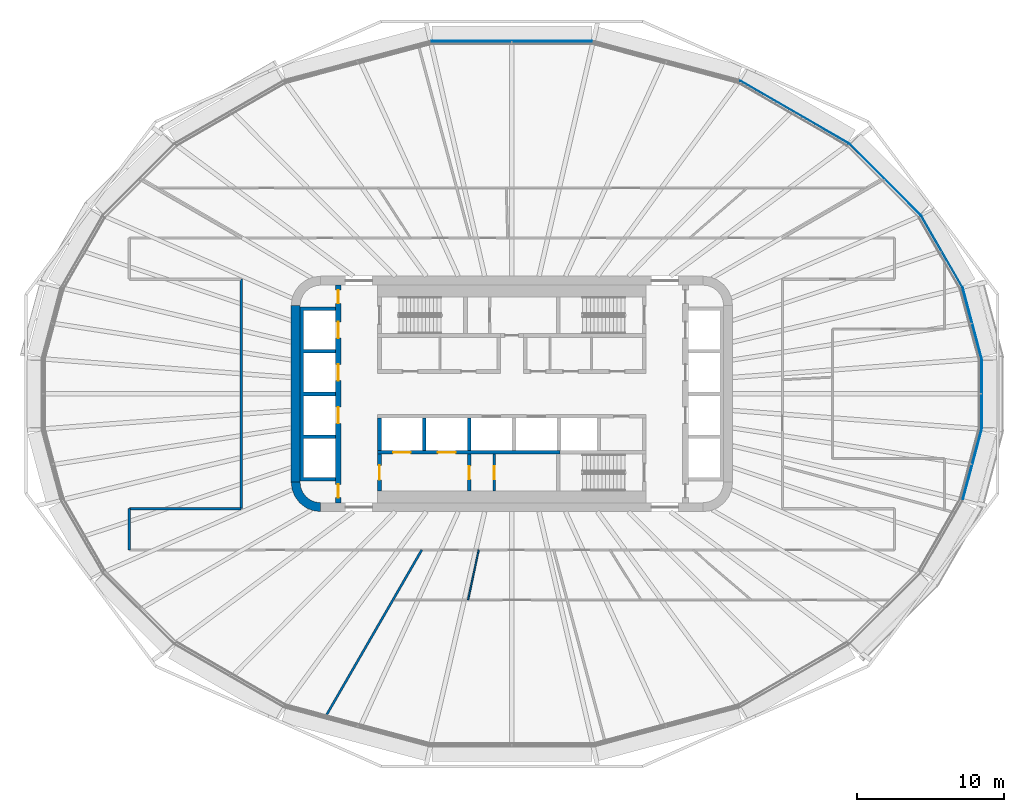
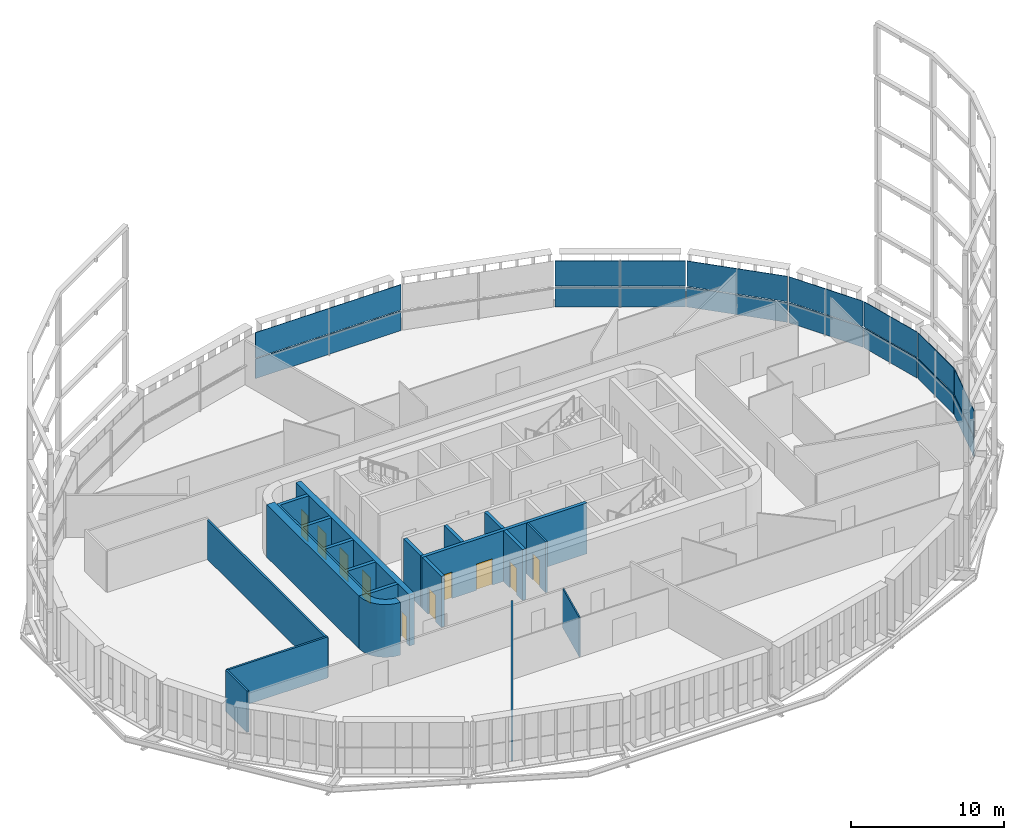
# One storey, part 14 of 26: 16 walls, 14 plates, 10 doors, 10 openings, 7 elements without a shape of their own.
"""IFC4 building model written with IfcOpenShell, lengths in metres."""

from ifc_helpers import new_model, si_unit, direction, frame, frame_2d, origin, place, context, subcontext, project, spatial, polyline, rectangle, outline, extrude, material, layer, layer_set, type_object, element, fill, aggregate, save


model = new_model("IFC4")

# Units and contexts
model_context = context("Model", 3, precision=1e-05, world=origin(), true_north=direction((0.0, 1.0)))
body_context = subcontext(model_context, "Body", "Model", "MODEL_VIEW")
ifc_project = project(units=[si_unit("LENGTHUNIT", "METRE"), si_unit("AREAUNIT", "SQUARE_METRE"), si_unit("VOLUMEUNIT", "CUBIC_METRE"), si_unit("PLANEANGLEUNIT", "RADIAN"), si_unit("MASSUNIT", "GRAM", prefix="KILO")], contexts=[model_context])

# Site, building, storey
site_placement = place(None, origin())
site = spatial("IfcSite", under=ifc_project, at=site_placement, CompositionType="ELEMENT")
building_placement = place(site_placement, origin())
building = spatial("IfcBuilding", under=site, at=building_placement, Name="Sahrelin Media Tower", CompositionType="ELEMENT")
storey_placement = place(building_placement, frame((0.0, 0.0, 102.0)))
storey = spatial("IfcBuildingStorey", under=building, at=storey_placement, Name="L19", CompositionType="ELEMENT", Elevation=102.0)

# Curtain wall, plate
ifc_material_1 = material(Name="Champagne anodised aluminium 6063-T6", Category="aluminium")
ifc_layer_1 = layer(ifc_material_1, 0.14990234375)
ifc_layer_set_1 = layer_set([ifc_layer_1], Name="Tower ribbon curtain wall")
curtain_wall_type = type_object("IfcCurtainWallType", Name="Tower ribbon curtain wall", PredefinedType="NOTDEFINED", material=ifc_layer_set_1)
curtain_wall_1_placement = place(storey_placement, frame((31.9443359375, 0.0, 0.0), z_axis=(0.0, 0.0, 1.0), x_axis=(1.0, 0.0, 0.0)))
curtain_wall_1 = element("IfcCurtainWall", 1, at=curtain_wall_1_placement, inside=storey, type_object=curtain_wall_type, Name="L19:CW:L19-00", PredefinedType="NOTDEFINED")
ifc_material_2 = material(Name="Clear low-iron glazing", Category="glass")
ifc_layer_2 = layer(ifc_material_2, 0.0400390625)
ifc_layer_set_2 = layer_set([ifc_layer_2], Name="Glazing panel 40 mm CW1")
plate_type_1 = type_object("IfcPlateType", Name="Glazing panel 40 mm CW1", PredefinedType="CURTAIN_PANEL", material=ifc_layer_set_2)
plate_1_placement = place(storey_placement, frame((31.96435546875, -2.337158203125, 1.6298828125), z_axis=(1.0, 0.0, 0.0), x_axis=(0.0, 1.0, 0.0)))
plate_1 = element("IfcPlate", 2, at=plate_1_placement, type_object=plate_type_1, Name="L19:CWP2:L19-00", PredefinedType="CURTAIN_PANEL", context=body_context, shape_type="SweptSolid", body=[
    extrude(outline(polyline([(0.0, 0.0), (4.67431640625, 0.0), (4.67431640625, 2.018798828125), (0.0, 2.018798828125), (0.0, 0.0)])), origin(), (0.0, 0.0, -1.0), 0.0400390625),
])

curtain_wall_2_placement = place(storey_placement, frame((31.298095703125, 4.798828125, 0.0), z_axis=(0.0, 0.0, 1.0), x_axis=(1.0, 0.0, 0.0)))
curtain_wall_2 = element("IfcCurtainWall", 3, at=curtain_wall_2_placement, inside=storey, type_object=curtain_wall_type, Name="L19:CW:L19-01", PredefinedType="NOTDEFINED")
plate_2_placement = place(storey_placement, frame((31.95068359375, 2.440673828125, 1.6298828125), z_axis=(0.965932017326, 0.258795938733, 0.0), x_axis=(-0.258795938733, 0.965932017326, 0.0)))
plate_2 = element("IfcPlate", 4, at=plate_2_placement, type_object=plate_type_1, Name="L19:CWP2:L19-01", PredefinedType="CURTAIN_PANEL", context=body_context, shape_type="SweptSolid", body=[
    extrude(outline(polyline([(0.0, 0.0), (4.893310546875, 0.0), (4.893310546875, 2.018798828125), (0.0, 2.018798828125), (0.0, 0.0)])), origin(), (0.0, 0.0, -1.0), 0.0400390625),
])

curtain_wall_3_placement = place(storey_placement, frame((29.231689453125, 9.67041015625, 0.0), z_axis=(0.0, 0.0, 1.0), x_axis=(1.0, 0.0, 0.0)))
curtain_wall_3 = element("IfcCurtainWall", 5, at=curtain_wall_3_placement, inside=storey, type_object=curtain_wall_type, Name="L19:CW:L19-02", PredefinedType="NOTDEFINED")
plate_3_placement = place(storey_placement, frame((30.644287109375, 7.263671875, 1.6298828125), z_axis=(0.866021677438, 0.500006454166, 0.0), x_axis=(-0.500006454166, 0.866021677438, 0.0)))
plate_3 = element("IfcPlate", 6, at=plate_3_placement, type_object=plate_type_1, Name="L19:CWP2:L19-02", PredefinedType="CURTAIN_PANEL", context=body_context, shape_type="SweptSolid", body=[
    extrude(outline(polyline([(0.0, 0.0), (5.5810546875, 0.0), (5.5810546875, 2.018798828125), (0.0, 2.018798828125), (0.0, 0.0)])), origin(), (0.0, 0.0, -1.0), 0.0400390625),
])

curtain_wall_4_placement = place(storey_placement, frame((25.371337890625, 14.5703125, 0.0), z_axis=(0.0, 0.0, 1.0), x_axis=(1.0, 0.0, 0.0)))
curtain_wall_4 = element("IfcCurtainWall", 7, at=curtain_wall_4_placement, inside=storey, type_object=curtain_wall_type, Name="L19:CW:L19-03", PredefinedType="NOTDEFINED")
plate_4_placement = place(storey_placement, frame((27.790283203125, 12.1796875, 1.6298828125), z_axis=(0.707106781187, 0.707106781187, 0.0), x_axis=(-0.707106781187, 0.707106781187, 0.0)))
plate_4 = element("IfcPlate", 8, at=plate_4_placement, type_object=plate_type_1, Name="L19:CWP2:L19-03", PredefinedType="CURTAIN_PANEL", context=body_context, shape_type="SweptSolid", body=[
    extrude(outline(polyline([(0.0, 0.0), (6.801513671875, 0.0), (6.801513671875, 2.018798828125), (0.0, 2.018798828125), (0.0, 0.0)])), origin(), (0.0, 0.0, -1.0), 0.0400390625),
])

curtain_wall_5_placement = place(storey_placement, frame((19.20751953125, 19.160400390625, 0.0), z_axis=(0.0, 0.0, 1.0), x_axis=(1.0, 0.0, 0.0)))
curtain_wall_5 = element("IfcCurtainWall", 9, at=curtain_wall_5_placement, inside=storey, type_object=curtain_wall_type, Name="L19:CW:L19-04", PredefinedType="NOTDEFINED")
plate_5_placement = place(storey_placement, frame((22.898193359375, 17.052490234375, 1.6298828125), z_axis=(0.499994284652, 0.866028703517, 0.0), x_axis=(-0.866028703517, 0.499994284652, 0.0)))
plate_5 = element("IfcPlate", 10, at=plate_5_placement, type_object=plate_type_1, Name="L19:CWP2:L19-04", PredefinedType="CURTAIN_PANEL", context=body_context, shape_type="SweptSolid", body=[
    extrude(outline(polyline([(0.0, 0.0), (8.5, 0.0), (8.5, 2.018798828125), (0.0, 2.018798828125), (0.0, 0.0)])), origin(), (0.0, 0.0, -1.0), 0.0400390625),
])

curtain_wall_6_placement = place(storey_placement, frame((0.0, 23.97705078125, 0.0), z_axis=(0.0, 0.0, 1.0), x_axis=(1.0, 0.0, 0.0)))
curtain_wall_6 = element("IfcCurtainWall", 11, at=curtain_wall_6_placement, inside=storey, type_object=curtain_wall_type, Name="L19:CW:L19-06", PredefinedType="NOTDEFINED")
plate_6_placement = place(storey_placement, frame((5.48095703125, 23.9970703125, 1.6298828125), z_axis=(0.0, 1.0, 0.0), x_axis=(-1.0, 0.0, 0.0)))
plate_6 = element("IfcPlate", 12, at=plate_6_placement, type_object=plate_type_1, Name="L19:CWP2:L19-06", PredefinedType="CURTAIN_PANEL", context=body_context, shape_type="SweptSolid", body=[
    extrude(outline(polyline([(0.0, 0.0), (10.9619140625, 0.0), (10.9619140625, 2.018798828125), (0.0, 2.018798828125), (0.0, 0.0)])), origin(), (0.0, 0.0, -1.0), 0.0400390625),
])

curtain_wall_7_placement = place(storey_placement, frame((31.298095703125, -4.798828125, 0.0), z_axis=(0.0, 0.0, 1.0), x_axis=(1.0, 0.0, 0.0)))
curtain_wall_7 = element("IfcCurtainWall", 13, at=curtain_wall_7_placement, inside=storey, type_object=curtain_wall_type, Name="L19:CW:L19-23", PredefinedType="NOTDEFINED")
plate_7_placement = place(storey_placement, frame((30.684326171875, -7.167236328125, 1.6298828125), z_axis=(0.965932017326, -0.258795938733, 0.0), x_axis=(0.258795938733, 0.965932017326, 0.0)))
plate_7 = element("IfcPlate", 14, at=plate_7_placement, type_object=plate_type_1, Name="L19:CWP2:L19-23", PredefinedType="CURTAIN_PANEL", context=body_context, shape_type="SweptSolid", body=[
    extrude(outline(polyline([(0.0, 0.0), (4.893310546875, 0.0), (4.893310546875, 2.018798828125), (0.0, 2.018798828125), (0.0, 0.0)])), origin(), (0.0, 0.0, -1.0), 0.0400390625),
])

# Plate
ifc_material_3 = material(Name="Insulated spandrel panel")
ifc_layer_3 = layer(ifc_material_3, 0.06005859375)
ifc_layer_set_3 = layer_set([ifc_layer_3], Name="Spandrel panel 60 mm CW1")
plate_type_2 = type_object("IfcPlateType", Name="Spandrel panel 60 mm CW1", PredefinedType="SHEET", material=ifc_layer_set_3)
plate_8_placement = place(storey_placement, frame((31.96435546875, -2.337158203125, 0.0), z_axis=(1.0, 0.0, 0.0), x_axis=(0.0, 1.0, 0.0)))
plate_8 = element("IfcPlate", 15, at=plate_8_placement, type_object=plate_type_2, Name="L19:CWP1:L19-00", PredefinedType="SHEET", context=body_context, shape_type="SweptSolid", body=[
    extrude(outline(polyline([(0.0, 0.0), (4.67431640625, 0.0), (4.67431640625, 1.570068359375), (0.0, 1.570068359375), (0.0, 0.0)])), origin(), (0.0, 0.0, -1.0), 0.06005859375),
])

aggregate(curtain_wall_1, [plate_8, plate_1])

plate_9_placement = place(storey_placement, frame((31.95068359375, 2.440673828125, 0.0), z_axis=(0.965932017326, 0.258795938733, 0.0), x_axis=(-0.258795938733, 0.965932017326, 0.0)))
plate_9 = element("IfcPlate", 16, at=plate_9_placement, type_object=plate_type_2, Name="L19:CWP1:L19-01", PredefinedType="SHEET", context=body_context, shape_type="SweptSolid", body=[
    extrude(outline(polyline([(0.0, 0.0), (4.893310546875, 0.0), (4.893310546875, 1.570068359375), (0.0, 1.570068359375), (0.0, 0.0)])), origin(), (0.0, 0.0, -1.0), 0.06005859375),
])

aggregate(curtain_wall_2, [plate_9, plate_2])

plate_10_placement = place(storey_placement, frame((30.644287109375, 7.263671875, 0.0), z_axis=(0.866021677438, 0.500006454166, 0.0), x_axis=(-0.500006454166, 0.866021677438, 0.0)))
plate_10 = element("IfcPlate", 17, at=plate_10_placement, type_object=plate_type_2, Name="L19:CWP1:L19-02", PredefinedType="SHEET", context=body_context, shape_type="SweptSolid", body=[
    extrude(outline(polyline([(0.0, 0.0), (5.5810546875, 0.0), (5.5810546875, 1.570068359375), (0.0, 1.570068359375), (0.0, 0.0)])), origin(), (0.0, 0.0, -1.0), 0.06005859375),
])

aggregate(curtain_wall_3, [plate_10, plate_3])

plate_11_placement = place(storey_placement, frame((27.790283203125, 12.1796875, 0.0), z_axis=(0.707106781187, 0.707106781187, 0.0), x_axis=(-0.707106781187, 0.707106781187, 0.0)))
plate_11 = element("IfcPlate", 18, at=plate_11_placement, type_object=plate_type_2, Name="L19:CWP1:L19-03", PredefinedType="SHEET", context=body_context, shape_type="SweptSolid", body=[
    extrude(outline(polyline([(0.0, 0.0), (6.801513671875, 0.0), (6.801513671875, 1.570068359375), (0.0, 1.570068359375), (0.0, 0.0)])), origin(), (0.0, 0.0, -1.0), 0.06005859375),
])

aggregate(curtain_wall_4, [plate_11, plate_4])

plate_12_placement = place(storey_placement, frame((22.898193359375, 17.052490234375, 0.0), z_axis=(0.499994284652, 0.866028703517, 0.0), x_axis=(-0.866028703517, 0.499994284652, 0.0)))
plate_12 = element("IfcPlate", 19, at=plate_12_placement, type_object=plate_type_2, Name="L19:CWP1:L19-04", PredefinedType="SHEET", context=body_context, shape_type="SweptSolid", body=[
    extrude(outline(polyline([(0.0, 0.0), (8.5, 0.0), (8.5, 1.570068359375), (0.0, 1.570068359375), (0.0, 0.0)])), origin(), (0.0, 0.0, -1.0), 0.06005859375),
])

aggregate(curtain_wall_5, [plate_12, plate_5])

plate_13_placement = place(storey_placement, frame((5.48095703125, 23.9970703125, 0.0), z_axis=(0.0, 1.0, 0.0), x_axis=(-1.0, 0.0, 0.0)))
plate_13 = element("IfcPlate", 20, at=plate_13_placement, type_object=plate_type_2, Name="L19:CWP1:L19-06", PredefinedType="SHEET", context=body_context, shape_type="SweptSolid", body=[
    extrude(outline(polyline([(0.0, 0.0), (10.9619140625, 0.0), (10.9619140625, 1.570068359375), (0.0, 1.570068359375), (0.0, 0.0)])), origin(), (0.0, 0.0, -1.0), 0.06005859375),
])

aggregate(curtain_wall_6, [plate_13, plate_6])

plate_14_placement = place(storey_placement, frame((30.684326171875, -7.167236328125, 0.0), z_axis=(0.965932017326, -0.258795938733, 0.0), x_axis=(0.258795938733, 0.965932017326, 0.0)))
plate_14 = element("IfcPlate", 21, at=plate_14_placement, type_object=plate_type_2, Name="L19:CWP1:L19-23", PredefinedType="SHEET", context=body_context, shape_type="SweptSolid", body=[
    extrude(outline(polyline([(0.0, 0.0), (4.893310546875, 0.0), (4.893310546875, 1.570068359375), (0.0, 1.570068359375), (0.0, 0.0)])), origin(), (0.0, 0.0, -1.0), 0.06005859375),
])

aggregate(curtain_wall_7, [plate_14, plate_7])

# Walls
ifc_material_4 = material(Name="Concrete C60/75", Category="concrete")
ifc_layer_4 = layer(ifc_material_4, 0.60009765625)
ifc_layer_set_4 = layer_set([ifc_layer_4], Name="Core wall 600")
wall_type_1 = type_object("IfcWallType", Name="Core wall 600", PredefinedType="SHEAR", material=ifc_layer_set_4)
wall_1_placement = place(storey_placement, frame((-14.699951171875, -6.0, 0.0), z_axis=(0.0, 0.0, 1.0), x_axis=(0.0, 1.0, 0.0)))
element("IfcWall", 22, at=wall_1_placement, inside=storey, type_object=wall_type_1, Name="Core wall W L19", PredefinedType="SHEAR", context=body_context, shape_type="SweptSolid", body=[
    extrude(rectangle(XDim=12.0, YDim=0.60009765625, at=frame_2d((6.0, 0.0))), origin(), (0.0, 0.0, 1.0), 4.199951171875),
])
placement = place(storey_placement, origin())
element("IfcWall", 23, at=placement, inside=storey, type_object=wall_type_1, Name="Core wall corner SW L19", PredefinedType="SHEAR", context=body_context, shape_type="SweptSolid", body=[
    extrude(outline(polyline([(-13.0, -8.0), (-13.0, -7.394775390625), (-13.361083984375, -7.347412109375), (-13.697509765625, -7.2080078125), (-13.986328125, -6.986328125), (-14.2080078125, -6.697509765625), (-14.347412109375, -6.361083984375), (-14.394775390625, -6.0), (-15.0, -6.0), (-14.931884765625, -6.517578125), (-14.732177734375, -7.0), (-14.414306640625, -7.414306640625), (-14.0, -7.732177734375), (-13.517578125, -7.931884765625), (-13.0, -8.0)])), origin(), (0.0, 0.0, 1.0), 4.199951171875),
])

# Wall, opening, door
ifc_material_5 = material(Name="Fire-rated gypsum board partition")
ifc_layer_5 = layer(ifc_material_5, 0.14990234375)
ifc_layer_set_5 = layer_set([ifc_layer_5], Name="Fire-rated partition 150")
wall_type_2 = type_object("IfcWallType", Name="Fire-rated partition 150", PredefinedType="PARTITIONING", material=ifc_layer_set_5)
wall_3_placement = place(storey_placement, frame((-1.199951171875, -6.60009765625, 0.0), z_axis=(0.0, 0.0, 1.0), x_axis=(0.0, 1.0, 0.0)))
wall_3 = element("IfcWall", 24, at=wall_3_placement, inside=storey, type_object=wall_type_2, Name="Core room fire partition", PredefinedType="PARTITIONING", context=body_context, shape_type="SweptSolid", body=[
    extrude(rectangle(XDim=2.5, YDim=0.14990234375, at=frame_2d((1.25, 0.0))), origin(), (0.0, 0.0, 1.0), 4.050048828125),
])
opening_1_placement = place(wall_3_placement, frame((0.800048828125, 0.0, 0.0)))
opening_1 = element("IfcOpeningElement", 25, at=opening_1_placement, cuts=wall_3, Name="Opening L19-D08", PredefinedType="OPENING", context=body_context, shape_type="SweptSolid", body=[
    extrude(rectangle(XDim=0.89990234375, YDim=2.10009765625, at=frame_2d((0.449951171875, 1.050048828125))), frame((0.0, 0.074951171875, 0.0), z_axis=(0.0, -1.0, 0.0), x_axis=(1.0, 0.0, 0.0)), (0.0, 0.0, 1.0), 0.14990234375),
])
ifc_material_6 = material(Name="Steel fire door leaf", Category="steel")
door_type_1 = type_object("IfcDoorType", Name="Fire door 900 x 2100 EI 60", OperationType="NOTDEFINED", PredefinedType="DOOR", material=ifc_material_6)
door_1_placement = place(opening_1_placement, origin())
door_1 = element("IfcDoor", 26, at=door_1_placement, inside=storey, type_object=door_type_1, Name="Core room door", OperationType="SINGLE_SWING_RIGHT", OverallHeight=2.10009765625, OverallWidth=0.89990234375, PredefinedType="DOOR", context=body_context, shape_type="SweptSolid", body=[
    extrude(rectangle(XDim=0.89990234375, YDim=2.10009765625, at=frame_2d((0.449951171875, 1.050048828125))), frame((0.0, 0.02490234375, 0.0), z_axis=(0.0, -1.0, 0.0), x_axis=(1.0, 0.0, 0.0)), (0.0, 0.0, 1.0), 0.050048828125),
])
fill(opening_1, door_1)

# Walls
wall_4_placement = place(storey_placement, frame((-26.0, -7.800048828125, 0.0), z_axis=(0.0, 0.0, 1.0), x_axis=(1.0, 0.0, 0.0)))
element("IfcWall", 27, at=wall_4_placement, inside=storey, type_object=wall_type_2, Name="Wall", PredefinedType="PARTITIONING", context=body_context, shape_type="SweptSolid", body=[
    extrude(rectangle(XDim=7.60009765625, YDim=0.14990234375, at=frame_2d((3.800048828125, 0.0))), origin(), (0.0, 0.0, 1.0), 3.27587890625),
])
wall_5_placement = place(storey_placement, frame((-12.72900390625, -22.048095703125, 0.0), z_axis=(0.0, 0.0, 1.0), x_axis=(0.499978786084, 0.866037651298, 0.0)))
element("IfcWall", 28, at=wall_5_placement, inside=storey, type_object=wall_type_2, Name="Wall", PredefinedType="PARTITIONING", context=body_context, shape_type="SweptSolid", body=[
    extrude(rectangle(XDim=13.21875, YDim=0.14990234375, at=frame_2d((6.609375, 0.0))), origin(), (0.0, 0.0, 1.0), 3.501708984375),
])
wall_6_placement = place(storey_placement, frame((-18.39990234375, -7.800048828125, 0.0), z_axis=(0.0, 0.0, 1.0), x_axis=(0.0, 1.0, 0.0)))
element("IfcWall", 29, at=wall_6_placement, inside=storey, type_object=wall_type_2, Name="Wall", PredefinedType="PARTITIONING", context=body_context, shape_type="SweptSolid", body=[
    extrude(rectangle(XDim=15.60009765625, YDim=0.14990234375, at=frame_2d((7.800048828125, 0.0))), origin(), (0.0, 0.0, 1.0), 3.1181640625),
])
wall_7_placement = place(storey_placement, frame((-26.0, -10.60009765625, 0.0), z_axis=(0.0, 0.0, 1.0), x_axis=(0.0, 1.0, 0.0)))
element("IfcWall", 30, at=wall_7_placement, inside=storey, type_object=wall_type_2, Name="Wall", PredefinedType="PARTITIONING", context=body_context, shape_type="SweptSolid", body=[
    extrude(rectangle(XDim=2.800048828125, YDim=0.14990234375, at=frame_2d((1.39990234375, 0.0))), origin(), (0.0, 0.0, 1.0), 3.27587890625),
])

# Wall, opening, door
ifc_layer_6 = layer(ifc_material_5, 0.25)
ifc_layer_set_6 = layer_set([ifc_layer_6], Name="Firefighting lobby wall 250")
wall_type_3 = type_object("IfcWallType", Name="Firefighting lobby wall 250", PredefinedType="PARTITIONING", material=ifc_layer_set_6)
wall_8_placement = place(storey_placement, frame((-9.0, -6.60009765625, 0.0), z_axis=(0.0, 0.0, 1.0), x_axis=(0.0, 1.0, 0.0)))
wall_8 = element("IfcWall", 31, at=wall_8_placement, inside=storey, type_object=wall_type_3, Name="Core wall", PredefinedType="PARTITIONING", context=body_context, shape_type="SweptSolid", body=[
    extrude(rectangle(XDim=2.5, YDim=0.25, at=frame_2d((1.25, 0.0))), origin(), (0.0, 0.0, 1.0), 4.050048828125),
])
opening_2_placement = place(wall_8_placement, frame((0.75, 0.0, 0.0)))
opening_2 = element("IfcOpeningElement", 32, at=opening_2_placement, cuts=wall_8, Name="Opening L19-D04", PredefinedType="OPENING", context=body_context, shape_type="SweptSolid", body=[
    extrude(rectangle(XDim=1.0, YDim=2.10009765625, at=frame_2d((0.5, 1.050048828125))), frame((0.0, 0.125, 0.0), z_axis=(0.0, -1.0, 0.0), x_axis=(1.0, 0.0, 0.0)), (0.0, 0.0, 1.0), 0.25),
])
door_type_2 = type_object("IfcDoorType", Name="Firefighting lobby door 1000 x 2100 EI 120", OperationType="NOTDEFINED", PredefinedType="DOOR", material=ifc_material_6)
door_2_placement = place(opening_2_placement, origin())
door_2 = element("IfcDoor", 33, at=door_2_placement, inside=storey, type_object=door_type_2, Name="Firefighting lobby door", OperationType="SINGLE_SWING_LEFT", OverallHeight=2.10009765625, OverallWidth=1.0, PredefinedType="DOOR", context=body_context, shape_type="SweptSolid", body=[
    extrude(rectangle(XDim=1.0, YDim=2.10009765625, at=frame_2d((0.5, 1.050048828125))), frame((0.0, 0.02490234375, 0.0), z_axis=(0.0, -1.0, 0.0), x_axis=(1.0, 0.0, 0.0)), (0.0, 0.0, 1.0), 0.050048828125),
])
fill(opening_2, door_2)

wall_9_placement = place(storey_placement, frame((-2.89990234375, -6.60009765625, 0.0), z_axis=(0.0, 0.0, 1.0), x_axis=(0.0, 1.0, 0.0)))
wall_9 = element("IfcWall", 34, at=wall_9_placement, inside=storey, type_object=wall_type_3, Name="Core wall", PredefinedType="PARTITIONING", context=body_context, shape_type="SweptSolid", body=[
    extrude(rectangle(XDim=2.5, YDim=0.25, at=frame_2d((1.25, 0.0))), origin(), (0.0, 0.0, 1.0), 4.050048828125),
])
opening_3_placement = place(wall_9_placement, frame((0.800048828125, 0.0, 0.0)))
opening_3 = element("IfcOpeningElement", 35, at=opening_3_placement, cuts=wall_9, Name="Opening L19-D05", PredefinedType="OPENING", context=body_context, shape_type="SweptSolid", body=[
    extrude(rectangle(XDim=0.89990234375, YDim=2.10009765625, at=frame_2d((0.449951171875, 1.050048828125))), frame((0.0, 0.125, 0.0), z_axis=(0.0, -1.0, 0.0), x_axis=(1.0, 0.0, 0.0)), (0.0, 0.0, 1.0), 0.25),
])
door_type_3 = type_object("IfcDoorType", Name="Firefighting lobby door 900 x 2100 EI 120", OperationType="NOTDEFINED", PredefinedType="DOOR", material=ifc_material_6)
door_3_placement = place(opening_3_placement, origin())
door_3 = element("IfcDoor", 36, at=door_3_placement, inside=storey, type_object=door_type_3, Name="Riser door", OperationType="SINGLE_SWING_RIGHT", OverallHeight=2.10009765625, OverallWidth=0.89990234375, PredefinedType="DOOR", context=body_context, shape_type="SweptSolid", body=[
    extrude(rectangle(XDim=0.89990234375, YDim=2.10009765625, at=frame_2d((0.449951171875, 1.050048828125))), frame((0.0, 0.02490234375, 0.0), z_axis=(0.0, -1.0, 0.0), x_axis=(1.0, 0.0, 0.0)), (0.0, 0.0, 1.0), 0.050048828125),
])
fill(opening_3, door_3)

# Wall, openings, doors
ifc_layer_7 = layer(ifc_material_4, 0.25)
ifc_layer_set_7 = layer_set([ifc_layer_7], Name="Lift shaft wall 250")
wall_type_4 = type_object("IfcWallType", Name="Lift shaft wall 250", PredefinedType="SOLIDWALL", material=ifc_layer_set_7)
wall_10_placement = place(storey_placement, frame((-9.125, -3.97509765625, 0.0), z_axis=(0.0, 0.0, 1.0), x_axis=(1.0, 0.0, 0.0)))
wall_10 = element("IfcWall", 37, at=wall_10_placement, inside=storey, type_object=wall_type_4, Name="Lift shaft wall", PredefinedType="SOLIDWALL", context=body_context, shape_type="SweptSolid", body=[
    extrude(rectangle(XDim=12.39990234375, YDim=0.25, at=frame_2d((6.199951171875, 0.0))), origin(), (0.0, 0.0, 1.0), 4.050048828125),
])
opening_4_placement = place(wall_10_placement, frame((1.050048828125, 0.0, 0.0)))
opening_4 = element("IfcOpeningElement", 38, at=opening_4_placement, cuts=wall_10, Name="Opening L19-LD-FF1", PredefinedType="OPENING", context=body_context, shape_type="SweptSolid", body=[
    extrude(rectangle(XDim=1.199951171875, YDim=2.10009765625, at=frame_2d((0.60009765625, 1.050048828125))), frame((0.0, 0.125, 0.0), z_axis=(0.0, -1.0, 0.0), x_axis=(1.0, 0.0, 0.0)), (0.0, 0.0, 1.0), 0.25),
])
opening_5_placement = place(wall_10_placement, frame((4.10009765625, 0.0, 0.0)))
opening_5 = element("IfcOpeningElement", 39, at=opening_5_placement, cuts=wall_10, Name="Opening L19-LD-FF2", PredefinedType="OPENING", context=body_context, shape_type="SweptSolid", body=[
    extrude(rectangle(XDim=1.199951171875, YDim=2.10009765625, at=frame_2d((0.60009765625, 1.050048828125))), frame((0.0, 0.125, 0.0), z_axis=(0.0, -1.0, 0.0), x_axis=(1.0, 0.0, 0.0)), (0.0, 0.0, 1.0), 0.25),
])
ifc_material_7 = material(Name="Stainless steel", Category="steel")
door_type_4 = type_object("IfcDoorType", Name="Lift landing door 1200 x 2100 EI 120", OperationType="DOUBLE_DOOR_SLIDING", PredefinedType="DOOR", material=ifc_material_7)
door_4_placement = place(opening_4_placement, origin())
door_4 = element("IfcDoor", 40, at=door_4_placement, inside=storey, type_object=door_type_4, Name="Lift landing door FF1", OperationType="DOUBLE_DOOR_SLIDING", OverallHeight=2.10009765625, OverallWidth=1.199951171875, PredefinedType="DOOR", context=body_context, shape_type="SweptSolid", body=[
    extrude(rectangle(XDim=1.199951171875, YDim=2.10009765625, at=frame_2d((0.60009765625, 1.050048828125))), frame((0.0, 0.02490234375, 0.0), z_axis=(0.0, -1.0, 0.0), x_axis=(1.0, 0.0, 0.0)), (0.0, 0.0, 1.0), 0.050048828125),
])
fill(opening_4, door_4)
door_5_placement = place(opening_5_placement, origin())
door_5 = element("IfcDoor", 41, at=door_5_placement, inside=storey, type_object=door_type_4, Name="Lift landing door FF2", OperationType="DOUBLE_DOOR_SLIDING", OverallHeight=2.10009765625, OverallWidth=1.199951171875, PredefinedType="DOOR", context=body_context, shape_type="SweptSolid", body=[
    extrude(rectangle(XDim=1.199951171875, YDim=2.10009765625, at=frame_2d((0.60009765625, 1.050048828125))), frame((0.0, 0.02490234375, 0.0), z_axis=(0.0, -1.0, 0.0), x_axis=(1.0, 0.0, 0.0)), (0.0, 0.0, 1.0), 0.050048828125),
])
fill(opening_5, door_5)

# Walls
for number, where, z_axis, x_axis, name in (
    (42, (-9.0, -3.85009765625, 0.0), (0.0, 0.0, 1.0), (0.0, 1.0, 0.0), "Lift shaft wall"),
    (43, (-5.949951171875, -3.85009765625, 0.0), (0.0, 0.0, 1.0), (0.0, 1.0, 0.0), "Lift shaft wall"),
    (44, (-2.89990234375, -3.85009765625, 0.0), (0.0, 0.0, 1.0), (0.0, 1.0, 0.0), "Lift shaft wall"),
):
    element("IfcWall", number, at=place(storey_placement, frame(where, z_axis=z_axis, x_axis=x_axis)), inside=storey, type_object=wall_type_4, Name=name, PredefinedType="SOLIDWALL", context=body_context, shape_type="SweptSolid", body=[
        extrude(rectangle(XDim=2.2001953125, YDim=0.25, at=frame_2d((1.10009765625, 0.0))), origin(), (0.0, 0.0, 1.0), 4.050048828125),
    ])
element("IfcWall", 45, at=placement, inside=storey, type_object=wall_type_4, Name="Lift shaft wall", PredefinedType="SOLIDWALL", context=body_context, shape_type="SweptSolid", body=[
    extrude(outline(polyline([(-12.0, -5.925048828125), (-12.0, -5.675048828125), (-14.14990234375, -5.675048828125), (-14.14990234375, -3.02490234375), (-12.0, -3.02490234375), (-12.0, -2.77490234375), (-14.14990234375, -2.77490234375), (-14.14990234375, -0.125), (-12.0, -0.125), (-12.0, 0.125), (-14.14990234375, 0.125), (-14.14990234375, 2.77490234375), (-12.0, 2.77490234375), (-12.0, 3.02490234375), (-14.14990234375, 3.02490234375), (-14.14990234375, 5.675048828125), (-12.0, 5.675048828125), (-12.0, 5.925048828125), (-14.14990234375, 5.925048828125), (-14.39990234375, 5.925048828125), (-14.39990234375, 5.675048828125), (-14.39990234375, 3.02490234375), (-14.39990234375, 2.77490234375), (-14.39990234375, 0.125), (-14.39990234375, -0.125), (-14.39990234375, -2.77490234375), (-14.39990234375, -3.02490234375), (-14.39990234375, -5.675048828125), (-14.39990234375, -5.925048828125), (-14.14990234375, -5.925048828125), (-12.0, -5.925048828125)])), origin(), (0.0, 0.0, 1.0), 4.050048828125),
])

# Wall, openings, doors
ifc_layer_8 = layer(ifc_material_4, 0.39990234375)
ifc_layer_set_8 = layer_set([ifc_layer_8], Name="Lift shaft wall 400")
wall_type_5 = type_object("IfcWallType", Name="Lift shaft wall 400", PredefinedType="SOLIDWALL", material=ifc_layer_set_8)
wall_12_placement = place(storey_placement, frame((-11.800048828125, -7.39990234375, 0.0), z_axis=(0.0, 0.0, 1.0), x_axis=(0.0, 1.0, 0.0)))
wall_12 = element("IfcWall", 46, at=wall_12_placement, inside=storey, type_object=wall_type_5, Name="Lift shaft wall", PredefinedType="SOLIDWALL", context=body_context, shape_type="SweptSolid", body=[
    extrude(rectangle(XDim=14.7998046875, YDim=0.39990234375, at=frame_2d((7.39990234375, 0.0))), origin(), (0.0, 0.0, 1.0), 4.050048828125),
])
opening_6_placement = place(wall_12_placement, frame((11.199951171875, 0.0, 0.0)))
opening_6 = element("IfcOpeningElement", 47, at=opening_6_placement, cuts=wall_12, Name="Opening L19-LD-LR1", PredefinedType="OPENING", context=body_context, shape_type="SweptSolid", body=[
    extrude(rectangle(XDim=1.10009765625, YDim=2.10009765625, at=frame_2d((0.550048828125, 1.050048828125))), frame((0.0, 0.199951171875, 0.0), z_axis=(0.0, -1.0, 0.0), x_axis=(1.0, 0.0, 0.0)), (0.0, 0.0, 1.0), 0.39990234375),
])
opening_7_placement = place(wall_12_placement, frame((8.300048828125, 0.0, 0.0)))
opening_7 = element("IfcOpeningElement", 48, at=opening_7_placement, cuts=wall_12, Name="Opening L19-LD-LR2", PredefinedType="OPENING", context=body_context, shape_type="SweptSolid", body=[
    extrude(rectangle(XDim=1.10009765625, YDim=2.10009765625, at=frame_2d((0.550048828125, 1.050048828125))), frame((0.0, 0.199951171875, 0.0), z_axis=(0.0, -1.0, 0.0), x_axis=(1.0, 0.0, 0.0)), (0.0, 0.0, 1.0), 0.39990234375),
])
opening_8_placement = place(wall_12_placement, frame((5.39990234375, 0.0, 0.0)))
opening_8 = element("IfcOpeningElement", 49, at=opening_8_placement, cuts=wall_12, Name="Opening L19-LD-LR3", PredefinedType="OPENING", context=body_context, shape_type="SweptSolid", body=[
    extrude(rectangle(XDim=1.10009765625, YDim=2.10009765625, at=frame_2d((0.550048828125, 1.050048828125))), frame((0.0, 0.199951171875, 0.0), z_axis=(0.0, -1.0, 0.0), x_axis=(1.0, 0.0, 0.0)), (0.0, 0.0, 1.0), 0.39990234375),
])
opening_9_placement = place(wall_12_placement, frame((13.552490234375, 0.0, 0.0)))
opening_9 = element("IfcOpeningElement", 50, at=opening_9_placement, cuts=wall_12, Name="Opening L19-D15", PredefinedType="OPENING", context=body_context, shape_type="SweptSolid", body=[
    extrude(rectangle(XDim=0.89990234375, YDim=2.10009765625, at=frame_2d((0.449951171875, 1.050048828125))), frame((0.0, 0.199951171875, 0.0), z_axis=(0.0, -1.0, 0.0), x_axis=(1.0, 0.0, 0.0)), (0.0, 0.0, 1.0), 0.39990234375),
])
opening_10_placement = place(wall_12_placement, frame((0.347412109375, 0.0, 0.0)))
opening_10 = element("IfcOpeningElement", 51, at=opening_10_placement, cuts=wall_12, Name="Opening L19-D16", PredefinedType="OPENING", context=body_context, shape_type="SweptSolid", body=[
    extrude(rectangle(XDim=0.89990234375, YDim=2.10009765625, at=frame_2d((0.449951171875, 1.050048828125))), frame((0.0, 0.199951171875, 0.0), z_axis=(0.0, -1.0, 0.0), x_axis=(1.0, 0.0, 0.0)), (0.0, 0.0, 1.0), 0.39990234375),
])
door_type_5 = type_object("IfcDoorType", Name="Lift landing door 1100 x 2100 EI 120", OperationType="DOUBLE_DOOR_SLIDING", PredefinedType="DOOR", material=ifc_material_7)
door_6_placement = place(opening_6_placement, origin())
door_6 = element("IfcDoor", 52, at=door_6_placement, inside=storey, type_object=door_type_5, Name="Lift landing door LR1", OperationType="DOUBLE_DOOR_SLIDING", OverallHeight=2.10009765625, OverallWidth=1.10009765625, PredefinedType="DOOR", context=body_context, shape_type="SweptSolid", body=[
    extrude(rectangle(XDim=1.10009765625, YDim=2.10009765625, at=frame_2d((0.550048828125, 1.050048828125))), frame((0.0, 0.02490234375, 0.0), z_axis=(0.0, -1.0, 0.0), x_axis=(1.0, 0.0, 0.0)), (0.0, 0.0, 1.0), 0.050048828125),
])
fill(opening_6, door_6)
door_7_placement = place(opening_7_placement, origin())
door_7 = element("IfcDoor", 53, at=door_7_placement, inside=storey, type_object=door_type_5, Name="Lift landing door LR2", OperationType="DOUBLE_DOOR_SLIDING", OverallHeight=2.10009765625, OverallWidth=1.10009765625, PredefinedType="DOOR", context=body_context, shape_type="SweptSolid", body=[
    extrude(rectangle(XDim=1.10009765625, YDim=2.10009765625, at=frame_2d((0.550048828125, 1.050048828125))), frame((0.0, 0.02490234375, 0.0), z_axis=(0.0, -1.0, 0.0), x_axis=(1.0, 0.0, 0.0)), (0.0, 0.0, 1.0), 0.050048828125),
])
fill(opening_7, door_7)
door_8_placement = place(opening_8_placement, origin())
door_8 = element("IfcDoor", 54, at=door_8_placement, inside=storey, type_object=door_type_5, Name="Lift landing door LR3", OperationType="DOUBLE_DOOR_SLIDING", OverallHeight=2.10009765625, OverallWidth=1.10009765625, PredefinedType="DOOR", context=body_context, shape_type="SweptSolid", body=[
    extrude(rectangle(XDim=1.10009765625, YDim=2.10009765625, at=frame_2d((0.550048828125, 1.050048828125))), frame((0.0, 0.02490234375, 0.0), z_axis=(0.0, -1.0, 0.0), x_axis=(1.0, 0.0, 0.0)), (0.0, 0.0, 1.0), 0.050048828125),
])
fill(opening_8, door_8)
door_type_6 = type_object("IfcDoorType", Name="Riser door 900 x 2100 EI 120", OperationType="NOTDEFINED", PredefinedType="DOOR", material=ifc_material_6)
door_9_placement = place(opening_9_placement, origin())
door_9 = element("IfcDoor", 55, at=door_9_placement, inside=storey, type_object=door_type_6, Name="Riser door", OperationType="SINGLE_SWING_LEFT", OverallHeight=2.10009765625, OverallWidth=0.89990234375, PredefinedType="DOOR", context=body_context, shape_type="SweptSolid", body=[
    extrude(rectangle(XDim=0.89990234375, YDim=2.10009765625, at=frame_2d((0.449951171875, 1.050048828125))), frame((0.0, 0.02490234375, 0.0), z_axis=(0.0, -1.0, 0.0), x_axis=(1.0, 0.0, 0.0)), (0.0, 0.0, 1.0), 0.050048828125),
])
fill(opening_9, door_9)
door_10_placement = place(opening_10_placement, origin())
door_10 = element("IfcDoor", 56, at=door_10_placement, inside=storey, type_object=door_type_6, Name="Riser door", OperationType="SINGLE_SWING_LEFT", OverallHeight=2.10009765625, OverallWidth=0.89990234375, PredefinedType="DOOR", context=body_context, shape_type="SweptSolid", body=[
    extrude(rectangle(XDim=0.89990234375, YDim=2.10009765625, at=frame_2d((0.449951171875, 1.050048828125))), frame((0.0, 0.02490234375, 0.0), z_axis=(0.0, -1.0, 0.0), x_axis=(1.0, 0.0, 0.0)), (0.0, 0.0, 1.0), 0.050048828125),
])
fill(opening_10, door_10)

# Wall
ifc_material_8 = material(Name="Gypsum board partition")
ifc_layer_9 = layer(ifc_material_8, 0.10009765625)
ifc_layer_set_9 = layer_set([ifc_layer_9], Name="Partition 100")
wall_type_6 = type_object("IfcWallType", Name="Partition 100", PredefinedType="PARTITIONING", material=ifc_layer_set_9)
wall_13_placement = place(storey_placement, frame((-2.97607421875, -14.0, 0.0), z_axis=(0.0, 0.0, 1.0), x_axis=(0.208041878594, 0.978119919412, 0.0)))
element("IfcWall", 57, at=wall_13_placement, inside=storey, type_object=wall_type_6, Name="Wall", PredefinedType="PARTITIONING", context=body_context, shape_type="SweptSolid", body=[
    extrude(rectangle(XDim=3.47607421875, YDim=0.10009765625, at=frame_2d((1.738037109375, 0.0))), origin(), (0.0, 0.0, 1.0), 3.126953125),
])

save(model, "model.ifc")
